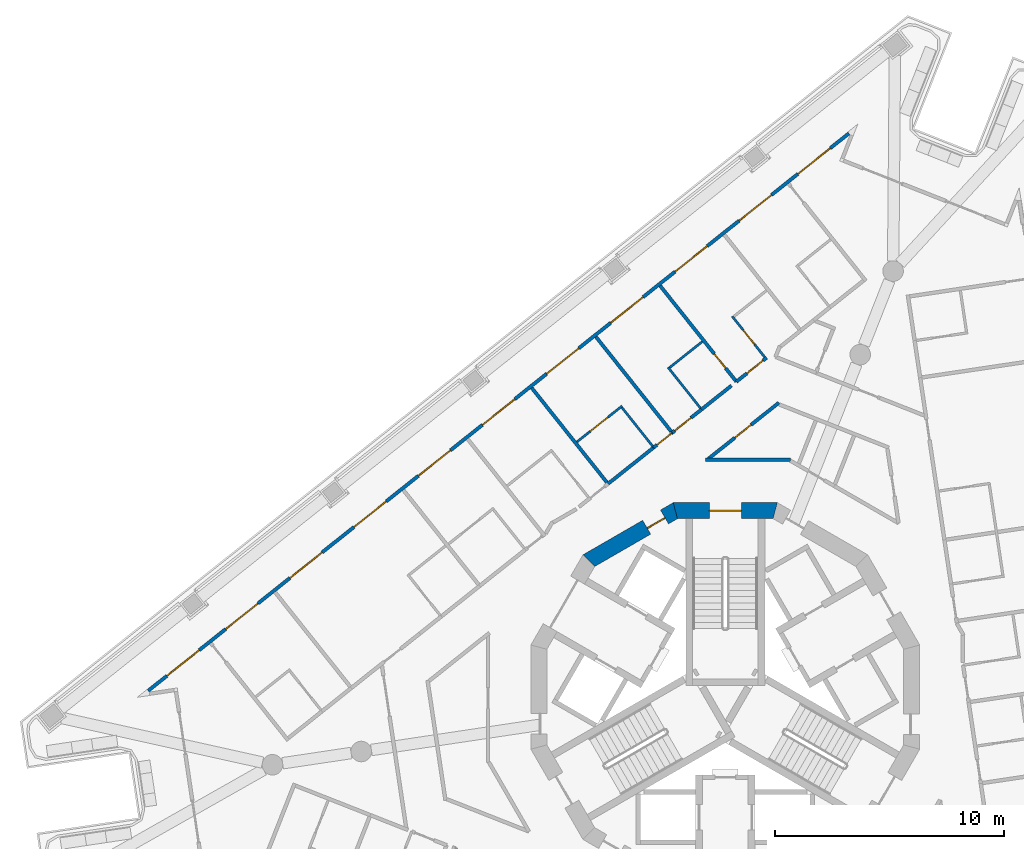
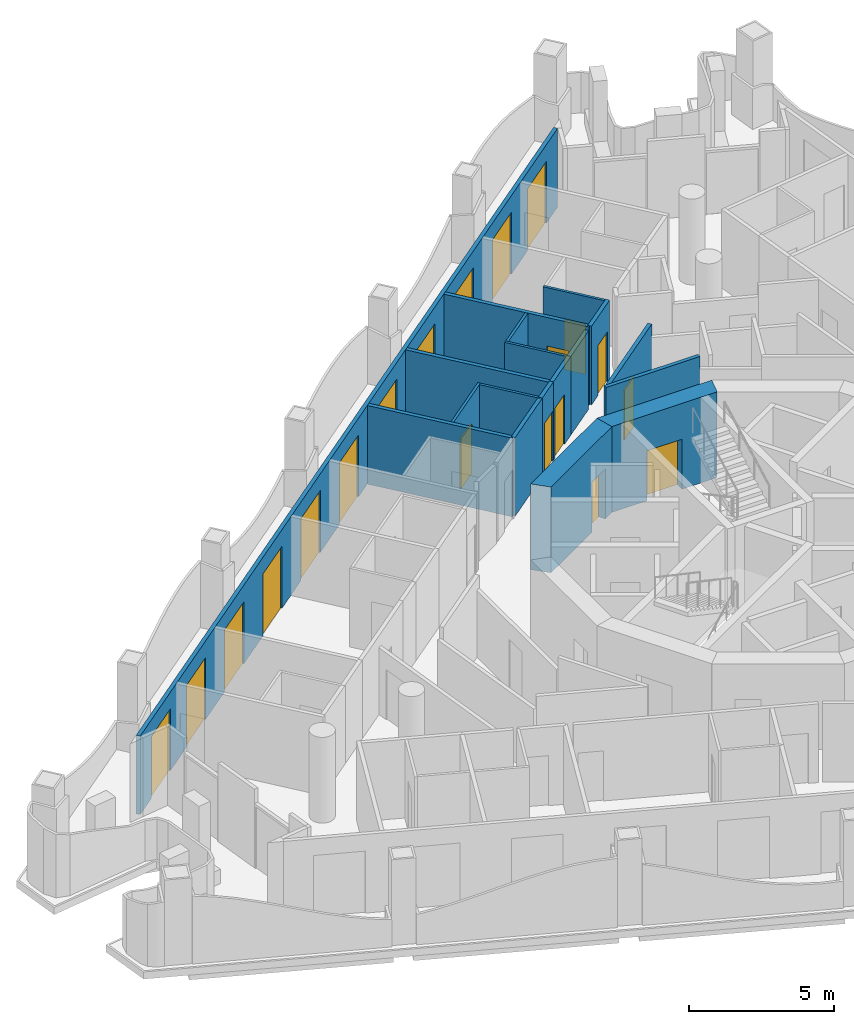
# One storey, part 8 of 17: 20 doors, 18 walls, 20 openings.
"""IFC4 building model written with IfcOpenShell, lengths in metres."""

from ifc_helpers import new_model, si_unit, direction, frame, frame_2d, origin, place, context, subcontext, project, spatial, polyline, rectangle, outline, extrude, material, layer, layer_set, type_object, element, fill, save


model = new_model("IFC4")

# Units and contexts
model_context = context("Model", 3, precision=1e-05, world=origin(), true_north=direction((0.0, 1.0)))
body_context = subcontext(model_context, "Body", "Model", "MODEL_VIEW")
ifc_project = project(units=[si_unit("LENGTHUNIT", "METRE"), si_unit("AREAUNIT", "SQUARE_METRE"), si_unit("VOLUMEUNIT", "CUBIC_METRE"), si_unit("PLANEANGLEUNIT", "RADIAN"), si_unit("MASSUNIT", "GRAM", prefix="KILO")], contexts=[model_context])

# Site, building, storey
site_placement = place(None, origin())
site = spatial("IfcSite", under=ifc_project, at=site_placement, CompositionType="ELEMENT")
building_placement = place(site_placement, origin())
building = spatial("IfcBuilding", under=site, at=building_placement, Name="Trine Commons Tower", CompositionType="ELEMENT")
storey_placement = place(building_placement, frame((0.0, 0.0, 216.0)))
storey = spatial("IfcBuildingStorey", under=building, at=storey_placement, Name="L56", CompositionType="ELEMENT", Elevation=216.0)

# Wall, openings, doors
ifc_material_1 = material(Name="Aluminium-framed insulated wall panel", Category="aluminium")
ifc_layer_1 = layer(ifc_material_1, 0.14990234375)
ifc_layer_set_1 = layer_set([ifc_layer_1], Name="Aluminium-framed insulated wall panel")
wall_type_1 = type_object("IfcWallType", Name="Glazed frame wall 150, EI 60", PredefinedType="SOLIDWALL", material=ifc_layer_set_1)
wall_1_placement = place(storey_placement, frame((54.650634765625, 62.685546875, 0.0), z_axis=(0.0, 0.0, 1.0), x_axis=(0.782609620341, 0.622512796776, 0.0)))
wall_1 = element("IfcWall", 1, at=wall_1_placement, inside=storey, type_object=wall_type_1, Name="Glazed frame wall F1", PredefinedType="SOLIDWALL", context=body_context, shape_type="SweptSolid", body=[
    extrude(outline(polyline([(0.1494140625, 0.074951171875), (0.1494140625, -0.074951171875), (39.296875, -0.074951171875), (39.296875, 0.074951171875), (0.1494140625, 0.074951171875)])), origin(), (0.0, 0.0, 1.0), 3.300048828125),
])
opening_1_placement = place(wall_1_placement, frame((1.193115234375, 0.0, 0.0)))
opening_1 = element("IfcOpeningElement", 2, at=opening_1_placement, cuts=wall_1, Name="Opening BD-6F1-01", PredefinedType="OPENING", context=body_context, shape_type="SweptSolid", body=[
    extrude(rectangle(XDim=1.800048828125, YDim=2.60009765625, at=frame_2d((0.89990234375, 1.300048828125))), frame((0.0, 0.0849609375, 0.0), z_axis=(0.0, -1.0, 0.0), x_axis=(1.0, 0.0, 0.0)), (0.0, 0.0, 1.0), 0.169921875),
])
opening_2_placement = place(wall_1_placement, frame((4.47900390625, 0.0, 0.0)))
opening_2 = element("IfcOpeningElement", 3, at=opening_2_placement, cuts=wall_1, Name="Opening BD-6F1-02", PredefinedType="OPENING", context=body_context, shape_type="SweptSolid", body=[
    extrude(rectangle(XDim=1.800048828125, YDim=2.60009765625, at=frame_2d((0.89990234375, 1.300048828125))), frame((0.0, 0.0849609375, 0.0), z_axis=(0.0, -1.0, 0.0), x_axis=(1.0, 0.0, 0.0)), (0.0, 0.0, 1.0), 0.169921875),
])
opening_3_placement = place(wall_1_placement, frame((8.06494140625, 0.0, 0.0)))
opening_3 = element("IfcOpeningElement", 4, at=opening_3_placement, cuts=wall_1, Name="Opening BD-6F1-03", PredefinedType="OPENING", context=body_context, shape_type="SweptSolid", body=[
    extrude(rectangle(XDim=1.800048828125, YDim=2.60009765625, at=frame_2d((0.89990234375, 1.300048828125))), frame((0.0, 0.0849609375, 0.0), z_axis=(0.0, -1.0, 0.0), x_axis=(1.0, 0.0, 0.0)), (0.0, 0.0, 1.0), 0.169921875),
])
opening_4_placement = place(wall_1_placement, frame((11.65087890625, 0.0, 0.0)))
opening_4 = element("IfcOpeningElement", 5, at=opening_4_placement, cuts=wall_1, Name="Opening BD-6F1-04", PredefinedType="OPENING", context=body_context, shape_type="SweptSolid", body=[
    extrude(rectangle(XDim=1.800048828125, YDim=2.60009765625, at=frame_2d((0.89990234375, 1.300048828125))), frame((0.0, 0.0849609375, 0.0), z_axis=(0.0, -1.0, 0.0), x_axis=(1.0, 0.0, 0.0)), (0.0, 0.0, 1.0), 0.169921875),
])
opening_5_placement = place(wall_1_placement, frame((15.237060546875, 0.0, 0.0)))
opening_5 = element("IfcOpeningElement", 6, at=opening_5_placement, cuts=wall_1, Name="Opening BD-6F1-05", PredefinedType="OPENING", context=body_context, shape_type="SweptSolid", body=[
    extrude(rectangle(XDim=1.800048828125, YDim=2.60009765625, at=frame_2d((0.89990234375, 1.300048828125))), frame((0.0, 0.0849609375, 0.0), z_axis=(0.0, -1.0, 0.0), x_axis=(1.0, 0.0, 0.0)), (0.0, 0.0, 1.0), 0.169921875),
])
opening_6_placement = place(wall_1_placement, frame((18.822998046875, 0.0, 0.0)))
opening_6 = element("IfcOpeningElement", 7, at=opening_6_placement, cuts=wall_1, Name="Opening BD-6F1-06", PredefinedType="OPENING", context=body_context, shape_type="SweptSolid", body=[
    extrude(rectangle(XDim=1.800048828125, YDim=2.60009765625, at=frame_2d((0.89990234375, 1.300048828125))), frame((0.0, 0.0849609375, 0.0), z_axis=(0.0, -1.0, 0.0), x_axis=(1.0, 0.0, 0.0)), (0.0, 0.0, 1.0), 0.169921875),
])
opening_7_placement = place(wall_1_placement, frame((22.408935546875, 0.0, 0.0)))
opening_7 = element("IfcOpeningElement", 8, at=opening_7_placement, cuts=wall_1, Name="Opening BD-6F1-07", PredefinedType="OPENING", context=body_context, shape_type="SweptSolid", body=[
    extrude(rectangle(XDim=1.800048828125, YDim=2.60009765625, at=frame_2d((0.89990234375, 1.300048828125))), frame((0.0, 0.0849609375, 0.0), z_axis=(0.0, -1.0, 0.0), x_axis=(1.0, 0.0, 0.0)), (0.0, 0.0, 1.0), 0.169921875),
])
opening_8_placement = place(wall_1_placement, frame((25.9951171875, 0.0, 0.0)))
opening_8 = element("IfcOpeningElement", 9, at=opening_8_placement, cuts=wall_1, Name="Opening BD-6F1-08", PredefinedType="OPENING", context=body_context, shape_type="SweptSolid", body=[
    extrude(rectangle(XDim=1.800048828125, YDim=2.60009765625, at=frame_2d((0.89990234375, 1.300048828125))), frame((0.0, 0.0849609375, 0.0), z_axis=(0.0, -1.0, 0.0), x_axis=(1.0, 0.0, 0.0)), (0.0, 0.0, 1.0), 0.169921875),
])
opening_9_placement = place(wall_1_placement, frame((29.5810546875, 0.0, 0.0)))
opening_9 = element("IfcOpeningElement", 10, at=opening_9_placement, cuts=wall_1, Name="Opening BD-6F1-09", PredefinedType="OPENING", context=body_context, shape_type="SweptSolid", body=[
    extrude(rectangle(XDim=1.800048828125, YDim=2.60009765625, at=frame_2d((0.89990234375, 1.300048828125))), frame((0.0, 0.0849609375, 0.0), z_axis=(0.0, -1.0, 0.0), x_axis=(1.0, 0.0, 0.0)), (0.0, 0.0, 1.0), 0.169921875),
])
opening_10_placement = place(wall_1_placement, frame((33.1669921875, 0.0, 0.0)))
opening_10 = element("IfcOpeningElement", 11, at=opening_10_placement, cuts=wall_1, Name="Opening BD-6F1-10", PredefinedType="OPENING", context=body_context, shape_type="SweptSolid", body=[
    extrude(rectangle(XDim=1.800048828125, YDim=2.60009765625, at=frame_2d((0.89990234375, 1.300048828125))), frame((0.0, 0.0849609375, 0.0), z_axis=(0.0, -1.0, 0.0), x_axis=(1.0, 0.0, 0.0)), (0.0, 0.0, 1.0), 0.169921875),
])
opening_11_placement = place(wall_1_placement, frame((36.452880859375, 0.0, 0.0)))
opening_11 = element("IfcOpeningElement", 12, at=opening_11_placement, cuts=wall_1, Name="Opening BD-6F1-11", PredefinedType="OPENING", context=body_context, shape_type="SweptSolid", body=[
    extrude(rectangle(XDim=1.800048828125, YDim=2.60009765625, at=frame_2d((0.89990234375, 1.300048828125))), frame((0.0, 0.0849609375, 0.0), z_axis=(0.0, -1.0, 0.0), x_axis=(1.0, 0.0, 0.0)), (0.0, 0.0, 1.0), 0.169921875),
])
ifc_material_2 = material(Name="Anodised aluminium frame with double glazing", Category="aluminium")
door_type_1 = type_object("IfcDoorType", Name="Sliding loggia door 1800x2600", OperationType="SLIDING_TO_LEFT", PredefinedType="DOOR", material=ifc_material_2)
door_1_placement = place(opening_1_placement, origin())
door_1 = element("IfcDoor", 13, at=door_1_placement, inside=storey, type_object=door_type_1, Name="Loggia door F1 1", OperationType="SLIDING_TO_LEFT", OverallHeight=2.60009765625, OverallWidth=1.800048828125, PredefinedType="DOOR", context=body_context, shape_type="SweptSolid", body=[
    extrude(rectangle(XDim=1.800048828125, YDim=2.60009765625, at=frame_2d((0.89990234375, 1.300048828125))), frame((0.0, 0.02490234375, 0.0), z_axis=(0.0, -1.0, 0.0), x_axis=(1.0, 0.0, 0.0)), (0.0, 0.0, 1.0), 0.050048828125),
])
fill(opening_1, door_1)
door_2_placement = place(opening_2_placement, origin())
door_2 = element("IfcDoor", 14, at=door_2_placement, inside=storey, type_object=door_type_1, Name="Loggia door F1 2", OperationType="SLIDING_TO_LEFT", OverallHeight=2.60009765625, OverallWidth=1.800048828125, PredefinedType="DOOR", context=body_context, shape_type="SweptSolid", body=[
    extrude(rectangle(XDim=1.800048828125, YDim=2.60009765625, at=frame_2d((0.89990234375, 1.300048828125))), frame((0.0, 0.02490234375, 0.0), z_axis=(0.0, -1.0, 0.0), x_axis=(1.0, 0.0, 0.0)), (0.0, 0.0, 1.0), 0.050048828125),
])
fill(opening_2, door_2)
door_3_placement = place(opening_3_placement, origin())
door_3 = element("IfcDoor", 15, at=door_3_placement, inside=storey, type_object=door_type_1, Name="Loggia door F1 3", OperationType="SLIDING_TO_LEFT", OverallHeight=2.60009765625, OverallWidth=1.800048828125, PredefinedType="DOOR", context=body_context, shape_type="SweptSolid", body=[
    extrude(rectangle(XDim=1.800048828125, YDim=2.60009765625, at=frame_2d((0.89990234375, 1.300048828125))), frame((0.0, 0.02490234375, 0.0), z_axis=(0.0, -1.0, 0.0), x_axis=(1.0, 0.0, 0.0)), (0.0, 0.0, 1.0), 0.050048828125),
])
fill(opening_3, door_3)
door_4_placement = place(opening_4_placement, origin())
door_4 = element("IfcDoor", 16, at=door_4_placement, inside=storey, type_object=door_type_1, Name="Loggia door F1 4", OperationType="SLIDING_TO_LEFT", OverallHeight=2.60009765625, OverallWidth=1.800048828125, PredefinedType="DOOR", context=body_context, shape_type="SweptSolid", body=[
    extrude(rectangle(XDim=1.800048828125, YDim=2.60009765625, at=frame_2d((0.89990234375, 1.300048828125))), frame((0.0, 0.02490234375, 0.0), z_axis=(0.0, -1.0, 0.0), x_axis=(1.0, 0.0, 0.0)), (0.0, 0.0, 1.0), 0.050048828125),
])
fill(opening_4, door_4)
door_5_placement = place(opening_5_placement, origin())
door_5 = element("IfcDoor", 17, at=door_5_placement, inside=storey, type_object=door_type_1, Name="Loggia door F1 5", OperationType="SLIDING_TO_LEFT", OverallHeight=2.60009765625, OverallWidth=1.800048828125, PredefinedType="DOOR", context=body_context, shape_type="SweptSolid", body=[
    extrude(rectangle(XDim=1.800048828125, YDim=2.60009765625, at=frame_2d((0.89990234375, 1.300048828125))), frame((0.0, 0.02490234375, 0.0), z_axis=(0.0, -1.0, 0.0), x_axis=(1.0, 0.0, 0.0)), (0.0, 0.0, 1.0), 0.050048828125),
])
fill(opening_5, door_5)
door_6_placement = place(opening_6_placement, origin())
door_6 = element("IfcDoor", 18, at=door_6_placement, inside=storey, type_object=door_type_1, Name="Loggia door F1 6", OperationType="SLIDING_TO_LEFT", OverallHeight=2.60009765625, OverallWidth=1.800048828125, PredefinedType="DOOR", context=body_context, shape_type="SweptSolid", body=[
    extrude(rectangle(XDim=1.800048828125, YDim=2.60009765625, at=frame_2d((0.89990234375, 1.300048828125))), frame((0.0, 0.02490234375, 0.0), z_axis=(0.0, -1.0, 0.0), x_axis=(1.0, 0.0, 0.0)), (0.0, 0.0, 1.0), 0.050048828125),
])
fill(opening_6, door_6)
door_7_placement = place(opening_7_placement, origin())
door_7 = element("IfcDoor", 19, at=door_7_placement, inside=storey, type_object=door_type_1, Name="Loggia door F1 7", OperationType="SLIDING_TO_LEFT", OverallHeight=2.60009765625, OverallWidth=1.800048828125, PredefinedType="DOOR", context=body_context, shape_type="SweptSolid", body=[
    extrude(rectangle(XDim=1.800048828125, YDim=2.60009765625, at=frame_2d((0.89990234375, 1.300048828125))), frame((0.0, 0.02490234375, 0.0), z_axis=(0.0, -1.0, 0.0), x_axis=(1.0, 0.0, 0.0)), (0.0, 0.0, 1.0), 0.050048828125),
])
fill(opening_7, door_7)
door_8_placement = place(opening_8_placement, origin())
door_8 = element("IfcDoor", 20, at=door_8_placement, inside=storey, type_object=door_type_1, Name="Loggia door F1 8", OperationType="SLIDING_TO_LEFT", OverallHeight=2.60009765625, OverallWidth=1.800048828125, PredefinedType="DOOR", context=body_context, shape_type="SweptSolid", body=[
    extrude(rectangle(XDim=1.800048828125, YDim=2.60009765625, at=frame_2d((0.89990234375, 1.300048828125))), frame((0.0, 0.02490234375, 0.0), z_axis=(0.0, -1.0, 0.0), x_axis=(1.0, 0.0, 0.0)), (0.0, 0.0, 1.0), 0.050048828125),
])
fill(opening_8, door_8)
door_9_placement = place(opening_9_placement, origin())
door_9 = element("IfcDoor", 21, at=door_9_placement, inside=storey, type_object=door_type_1, Name="Loggia door F1 9", OperationType="SLIDING_TO_LEFT", OverallHeight=2.60009765625, OverallWidth=1.800048828125, PredefinedType="DOOR", context=body_context, shape_type="SweptSolid", body=[
    extrude(rectangle(XDim=1.800048828125, YDim=2.60009765625, at=frame_2d((0.89990234375, 1.300048828125))), frame((0.0, 0.02490234375, 0.0), z_axis=(0.0, -1.0, 0.0), x_axis=(1.0, 0.0, 0.0)), (0.0, 0.0, 1.0), 0.050048828125),
])
fill(opening_9, door_9)
door_10_placement = place(opening_10_placement, origin())
door_10 = element("IfcDoor", 22, at=door_10_placement, inside=storey, type_object=door_type_1, Name="Loggia door F1 10", OperationType="SLIDING_TO_LEFT", OverallHeight=2.60009765625, OverallWidth=1.800048828125, PredefinedType="DOOR", context=body_context, shape_type="SweptSolid", body=[
    extrude(rectangle(XDim=1.800048828125, YDim=2.60009765625, at=frame_2d((0.89990234375, 1.300048828125))), frame((0.0, 0.02490234375, 0.0), z_axis=(0.0, -1.0, 0.0), x_axis=(1.0, 0.0, 0.0)), (0.0, 0.0, 1.0), 0.050048828125),
])
fill(opening_10, door_10)
door_11_placement = place(opening_11_placement, origin())
door_11 = element("IfcDoor", 23, at=door_11_placement, inside=storey, type_object=door_type_1, Name="Loggia door F1 11", OperationType="SLIDING_TO_LEFT", OverallHeight=2.60009765625, OverallWidth=1.800048828125, PredefinedType="DOOR", context=body_context, shape_type="SweptSolid", body=[
    extrude(rectangle(XDim=1.800048828125, YDim=2.60009765625, at=frame_2d((0.89990234375, 1.300048828125))), frame((0.0, 0.02490234375, 0.0), z_axis=(0.0, -1.0, 0.0), x_axis=(1.0, 0.0, 0.0)), (0.0, 0.0, 1.0), 0.050048828125),
])
fill(opening_11, door_11)

# Wall, opening, door
ifc_material_3 = material(Name="Concrete C60/75", Category="concrete")
ifc_layer_2 = layer(ifc_material_3, 0.699951171875)
ifc_layer_set_2 = layer_set([ifc_layer_2], Name="Concrete C60/75")
wall_type_2 = type_object("IfcWallType", Name="RC shear wall 700 mm, C60/75", PredefinedType="SHEAR", material=ifc_layer_set_2)
wall_2_placement = place(storey_placement, frame((82.277587890625, 70.650146484375, 0.0), z_axis=(0.0, 0.0, 1.0), x_axis=(-1.0, 0.0, 0.0)))
wall_2 = element("IfcWall", 24, at=wall_2_placement, inside=storey, type_object=wall_type_2, Name="Core wall CWF-04 L56", PredefinedType="SHEAR", context=body_context, shape_type="SweptSolid", body=[
    extrude(outline(polyline([(0.0, -0.35009765625), (4.55517578125, -0.35009765625), (4.36767578125, 0.35009765625), (0.1875, 0.35009765625), (0.0, -0.35009765625)])), origin(), (0.0, 0.0, 1.0), 3.60009765625),
])
opening_12_placement = place(wall_2_placement, frame((1.57763671875, 0.0, 0.0)))
opening_12 = element("IfcOpeningElement", 25, at=opening_12_placement, cuts=wall_2, Name="Opening K16.01", PredefinedType="OPENING", context=body_context, shape_type="SweptSolid", body=[
    extrude(rectangle(XDim=1.39990234375, YDim=2.10009765625, at=frame_2d((0.699951171875, 1.050048828125))), frame((0.0, 0.35986328125, 0.0), z_axis=(0.0, -1.0, 0.0), x_axis=(1.0, 0.0, 0.0)), (0.0, 0.0, 1.0), 0.719970703125),
])
ifc_material_4 = material(Name="Steel door leaves, fire-rated", Category="steel")
door_type_2 = type_object("IfcDoorType", Name="Stair door, double leaf 1400 x 2100, FD90", OperationType="DOUBLE_DOOR_SINGLE_SWING", PredefinedType="DOOR", material=ifc_material_4)
door_12_placement = place(opening_12_placement, origin())
door_12 = element("IfcDoor", 26, at=door_12_placement, inside=storey, type_object=door_type_2, Name="Stair door to Exit stair ST1C L56", OperationType="DOUBLE_DOOR_SINGLE_SWING", OverallHeight=2.10009765625, OverallWidth=1.39990234375, PredefinedType="DOOR", context=body_context, shape_type="SweptSolid", body=[
    extrude(rectangle(XDim=1.39990234375, YDim=2.10009765625, at=frame_2d((0.699951171875, 1.050048828125))), frame((0.0, 0.02490234375, 0.0), z_axis=(0.0, -1.0, 0.0), x_axis=(1.0, 0.0, 0.0)), (0.0, 0.0, 1.0), 0.050048828125),
])
fill(opening_12, door_12)

wall_3_placement = place(storey_placement, frame((77.8974609375, 70.697021484375, 0.0), z_axis=(0.0, 0.0, 1.0), x_axis=(-0.866034756103, -0.499983800959, 0.0)))
wall_3 = element("IfcWall", 27, at=wall_3_placement, inside=storey, type_object=wall_type_2, Name="Core wall CWF-05 L56", PredefinedType="SHEAR", context=body_context, shape_type="SweptSolid", body=[
    extrude(outline(polyline([(0.0, -0.35009765625), (4.55517578125, -0.35009765625), (4.36767578125, 0.35009765625), (0.1875, 0.35009765625), (0.0, -0.35009765625)])), origin(), (0.0, 0.0, 1.0), 3.60009765625),
])
opening_13_placement = place(wall_3_placement, frame((0.641845703125, 0.0, 0.0)))
opening_13 = element("IfcOpeningElement", 28, at=opening_13_placement, cuts=wall_3, Name="Opening K16.13", PredefinedType="OPENING", context=body_context, shape_type="SweptSolid", body=[
    extrude(rectangle(XDim=0.89990234375, YDim=2.10009765625, at=frame_2d((0.449951171875, 1.050048828125))), frame((0.0, 0.35986328125, 0.0), z_axis=(0.0, -1.0, 0.0), x_axis=(1.0, 0.0, 0.0)), (0.0, 0.0, 1.0), 0.719970703125),
])
ifc_material_5 = material(Name="Steel door leaf, fire-rated", Category="steel")
door_type_3 = type_object("IfcDoorType", Name="Core room door, single leaf 900 x 2100, FD30S", OperationType="SINGLE_SWING_LEFT", PredefinedType="DOOR", material=ifc_material_5)
door_13_placement = place(opening_13_placement, origin())
door_13 = element("IfcDoor", 29, at=door_13_placement, inside=storey, type_object=door_type_3, Name="Door to Accessible WC L56", OperationType="SINGLE_SWING_LEFT", OverallHeight=2.10009765625, OverallWidth=0.89990234375, PredefinedType="DOOR", context=body_context, shape_type="SweptSolid", body=[
    extrude(rectangle(XDim=0.89990234375, YDim=2.10009765625, at=frame_2d((0.449951171875, 1.050048828125))), frame((0.0, 0.0751953125, 0.0), z_axis=(0.0, -1.0, 0.0), x_axis=(1.0, 0.0, 0.0)), (0.0, 0.0, 1.0), 0.050048828125),
])
fill(opening_13, door_13)

# Walls
ifc_material_6 = material(Name="Gypsum plasterboard on steel stud", Category="steel")
ifc_layer_3 = layer(ifc_material_6, 0.14990234375)
ifc_layer_set_3 = layer_set([ifc_layer_3], Name="Gypsum plasterboard on steel stud")
wall_type_3 = type_object("IfcWallType", Name="Unit and corridor wall 150 mm, EI 60", PredefinedType="PARTITIONING", material=ifc_layer_set_3)
wall_4_placement = place(storey_placement, frame((71.535888671875, 76.020751953125, 0.0), z_axis=(0.0, 0.0, 1.0), x_axis=(0.622565407695, -0.782567769041, 0.0)))
element("IfcWall", 30, at=wall_4_placement, inside=storey, type_object=wall_type_3, Name="Partition 037", PredefinedType="PARTITIONING", context=body_context, shape_type="SweptSolid", body=[
    extrude(rectangle(XDim=5.3603515625, YDim=0.14990234375, at=frame_2d((2.68017578125, 0.0))), origin(), (0.0, 0.0, 1.0), 3.300048828125),
])
wall_5_placement = place(storey_placement, frame((74.343017578125, 78.252685546875, 0.0), z_axis=(0.0, 0.0, 1.0), x_axis=(0.622444463897, -0.782663969634, 0.0)))
element("IfcWall", 31, at=wall_5_placement, inside=storey, type_object=wall_type_3, Name="Partition 047", PredefinedType="PARTITIONING", context=body_context, shape_type="SweptSolid", body=[
    extrude(rectangle(XDim=5.284423828125, YDim=0.14990234375, at=frame_2d((2.64208984375, 0.0))), origin(), (0.0, 0.0, 1.0), 3.300048828125),
])
wall_6_placement = place(storey_placement, frame((74.8701171875, 71.823974609375, 0.0), z_axis=(0.0, 0.0, 1.0), x_axis=(0.782719471112, 0.622374669746, 0.0)))
element("IfcWall", 32, at=wall_6_placement, inside=storey, type_object=wall_type_3, Name="Partition 048", PredefinedType="PARTITIONING", context=body_context, shape_type="SweptSolid", body=[
    extrude(rectangle(XDim=2.556396484375, YDim=0.14990234375, at=frame_2d((1.2783203125, 0.0))), origin(), (0.0, 0.0, 1.0), 3.300048828125),
])

# Wall, opening, door
wall_7_placement = place(storey_placement, frame((76.864990234375, 73.410888671875, 0.0), z_axis=(0.0, 0.0, 1.0), x_axis=(0.782896309119, 0.622152207396, 0.0)))
wall_7 = element("IfcWall", 33, at=wall_7_placement, inside=storey, type_object=wall_type_3, Name="Partition 052", PredefinedType="PARTITIONING", context=body_context, shape_type="SweptSolid", body=[
    extrude(rectangle(XDim=1.04345703125, YDim=0.14990234375, at=frame_2d((0.521728515625, 0.0))), origin(), (0.0, 0.0, 1.0), 3.300048828125),
])
opening_14_placement = place(wall_7_placement, frame((0.189697265625, 0.0, 0.0)))
opening_14 = element("IfcOpeningElement", 34, at=opening_14_placement, cuts=wall_7, Name="Opening D-6B09", PredefinedType="OPENING", context=body_context, shape_type="SweptSolid", body=[
    extrude(rectangle(XDim=0.800048828125, YDim=2.10009765625, at=frame_2d((0.39990234375, 1.050048828125))), frame((0.0, 0.0849609375, 0.0), z_axis=(0.0, -1.0, 0.0), x_axis=(1.0, 0.0, 0.0)), (0.0, 0.0, 1.0), 0.169921875),
])
ifc_material_7 = material(Name="Timber fire door set", Category="wood")
door_type_4 = type_object("IfcDoorType", Name="Bedroom door 800 x 2100, FD30S", OperationType="NOTDEFINED", PredefinedType="DOOR", material=ifc_material_7)
door_14_placement = place(opening_14_placement, origin())
door_14 = element("IfcDoor", 35, at=door_14_placement, inside=storey, type_object=door_type_4, Name="Door D-6B09", OperationType="SINGLE_SWING_RIGHT", OverallHeight=2.10009765625, OverallWidth=0.800048828125, PredefinedType="DOOR", context=body_context, shape_type="SweptSolid", body=[
    extrude(rectangle(XDim=0.800048828125, YDim=2.10009765625, at=frame_2d((0.39990234375, 1.050048828125))), frame((0.0, 0.02490234375, 0.0), z_axis=(0.0, -1.0, 0.0), x_axis=(1.0, 0.0, 0.0)), (0.0, 0.0, 1.0), 0.050048828125),
])
fill(opening_14, door_14)

wall_8_placement = place(storey_placement, frame((77.14892578125, 80.485595703125, 0.0), z_axis=(0.0, 0.0, 1.0), x_axis=(0.622587598128, -0.782550115109, 0.0)))
wall_8 = element("IfcWall", 36, at=wall_8_placement, inside=storey, type_object=wall_type_3, Name="Partition 055", PredefinedType="PARTITIONING", context=body_context, shape_type="SweptSolid", body=[
    extrude(rectangle(XDim=5.360107421875, YDim=0.14990234375, at=frame_2d((2.68017578125, 0.0))), origin(), (0.0, 0.0, 1.0), 3.300048828125),
])
opening_15_placement = place(wall_8_placement, frame((3.81005859375, 0.0, 0.0)))
opening_15 = element("IfcOpeningElement", 37, at=opening_15_placement, cuts=wall_8, Name="Opening D-6B40", PredefinedType="OPENING", context=body_context, shape_type="SweptSolid", body=[
    extrude(rectangle(XDim=0.800048828125, YDim=2.10009765625, at=frame_2d((0.39990234375, 1.050048828125))), frame((0.0, 0.0849609375, 0.0), z_axis=(0.0, -1.0, 0.0), x_axis=(1.0, 0.0, 0.0)), (0.0, 0.0, 1.0), 0.169921875),
])
ifc_material_8 = material(Name="Painted timber", Category="wood")
door_type_5 = type_object("IfcDoorType", Name="Internal door 800 x 2100, NOT RATED", OperationType="NOTDEFINED", PredefinedType="DOOR", material=ifc_material_8)
door_15_placement = place(opening_15_placement, origin())
door_15 = element("IfcDoor", 38, at=door_15_placement, inside=storey, type_object=door_type_5, Name="Door D-6B40", OperationType="SINGLE_SWING_RIGHT", OverallHeight=2.10009765625, OverallWidth=0.800048828125, PredefinedType="DOOR", context=body_context, shape_type="SweptSolid", body=[
    extrude(rectangle(XDim=0.800048828125, YDim=2.10009765625, at=frame_2d((0.39990234375, 1.050048828125))), frame((0.0, 0.02490234375, 0.0), z_axis=(0.0, -1.0, 0.0), x_axis=(1.0, 0.0, 0.0)), (0.0, 0.0, 1.0), 0.050048828125),
])
fill(opening_15, door_15)

wall_9_placement = place(storey_placement, frame((77.676025390625, 74.055908203125, 0.0), z_axis=(0.0, 0.0, 1.0), x_axis=(0.782734219596, 0.622356121102, 0.0)))
wall_9 = element("IfcWall", 39, at=wall_9_placement, inside=storey, type_object=wall_type_3, Name="Partition 059", PredefinedType="PARTITIONING", context=body_context, shape_type="SweptSolid", body=[
    extrude(rectangle(XDim=1.64404296875, YDim=0.14990234375, at=frame_2d((0.822021484375, 0.0))), origin(), (0.0, 0.0, 1.0), 3.300048828125),
])
opening_16_placement = place(wall_9_placement, frame((0.153564453125, 0.0, 0.0)))
opening_16 = element("IfcOpeningElement", 40, at=opening_16_placement, cuts=wall_9, Name="Opening D-6B10", PredefinedType="OPENING", context=body_context, shape_type="SweptSolid", body=[
    extrude(rectangle(XDim=0.89990234375, YDim=2.10009765625, at=frame_2d((0.449951171875, 1.050048828125))), frame((0.0, 0.0849609375, 0.0), z_axis=(0.0, -1.0, 0.0), x_axis=(1.0, 0.0, 0.0)), (0.0, 0.0, 1.0), 0.169921875),
])
door_type_6 = type_object("IfcDoorType", Name="Bedroom door 900 x 2100, FD30S", OperationType="NOTDEFINED", PredefinedType="DOOR", material=ifc_material_7)
door_16_placement = place(opening_16_placement, origin())
door_16 = element("IfcDoor", 41, at=door_16_placement, inside=storey, type_object=door_type_6, Name="Door D-6B10", OperationType="SINGLE_SWING_LEFT", OverallHeight=2.10009765625, OverallWidth=0.89990234375, PredefinedType="DOOR", context=body_context, shape_type="SweptSolid", body=[
    extrude(rectangle(XDim=0.89990234375, YDim=2.10009765625, at=frame_2d((0.449951171875, 1.050048828125))), frame((0.0, 0.02490234375, 0.0), z_axis=(0.0, -1.0, 0.0), x_axis=(1.0, 0.0, 0.0)), (0.0, 0.0, 1.0), 0.050048828125),
])
fill(opening_16, door_16)

# Walls
wall_10_placement = place(storey_placement, frame((78.95703125, 75.074951171875, 0.0), z_axis=(0.0, 0.0, 1.0), x_axis=(0.782797783459, 0.622276168764, 0.0)))
element("IfcWall", 42, at=wall_10_placement, inside=storey, type_object=wall_type_3, Name="Partition 062", PredefinedType="PARTITIONING", context=body_context, shape_type="SweptSolid", body=[
    extrude(rectangle(XDim=1.676025390625, YDim=0.14990234375, at=frame_2d((0.837890625, 0.0))), origin(), (0.0, 0.0, 1.0), 3.300048828125),
])
wall_11_placement = place(storey_placement, frame((79.125, 72.875, 0.0), z_axis=(0.0, 0.0, 1.0), x_axis=(1.0, 0.0, 0.0)))
element("IfcWall", 43, at=wall_11_placement, inside=storey, type_object=wall_type_3, Name="Partition 064", PredefinedType="PARTITIONING", context=body_context, shape_type="SweptSolid", body=[
    extrude(rectangle(XDim=3.72998046875, YDim=0.14990234375, at=frame_2d((1.864990234375, 0.0))), origin(), (0.0, 0.0, 1.0), 3.300048828125),
])

# Wall, opening, door
wall_12_placement = place(storey_placement, frame((79.2626953125, 72.921630859375, 0.0), z_axis=(0.0, 0.0, 1.0), x_axis=(0.782518607784, 0.622627198629, 0.0)))
wall_12 = element("IfcWall", 44, at=wall_12_placement, inside=storey, type_object=wall_type_3, Name="Partition 065", PredefinedType="PARTITIONING", context=body_context, shape_type="SweptSolid", body=[
    extrude(rectangle(XDim=3.934814453125, YDim=0.14990234375, at=frame_2d((1.96728515625, 0.0))), origin(), (0.0, 0.0, 1.0), 3.300048828125),
])
opening_17_placement = place(wall_12_placement, frame((1.479736328125, 0.0, 0.0)))
opening_17 = element("IfcOpeningElement", 45, at=opening_17_placement, cuts=wall_12, Name="Opening D-6B30", PredefinedType="OPENING", context=body_context, shape_type="SweptSolid", body=[
    extrude(rectangle(XDim=0.89990234375, YDim=2.10009765625, at=frame_2d((0.449951171875, 1.050048828125))), frame((0.0, 0.0849609375, 0.0), z_axis=(0.0, -1.0, 0.0), x_axis=(1.0, 0.0, 0.0)), (0.0, 0.0, 1.0), 0.169921875),
])
door_type_7 = type_object("IfcDoorType", Name="Service door 900 x 2100, FD30S", OperationType="NOTDEFINED", PredefinedType="DOOR", material=ifc_material_7)
door_17_placement = place(opening_17_placement, frame((0.89990234375, 0.0, 0.0), z_axis=(0.0, 0.0, 1.0), x_axis=(-1.0, 0.0, 0.0)))
door_17 = element("IfcDoor", 46, at=door_17_placement, inside=storey, type_object=door_type_7, Name="Door D-6B30", OperationType="SINGLE_SWING_RIGHT", OverallHeight=2.10009765625, OverallWidth=0.89990234375, PredefinedType="DOOR", context=body_context, shape_type="SweptSolid", body=[
    extrude(rectangle(XDim=0.89990234375, YDim=2.10009765625, at=frame_2d((0.449951171875, 1.050048828125))), frame((0.0, 0.02490234375, 0.0), z_axis=(0.0, -1.0, 0.0), x_axis=(1.0, 0.0, 0.0)), (0.0, 0.0, 1.0), 0.050048828125),
])
fill(opening_17, door_17)

wall_13_placement = place(storey_placement, frame((80.48291015625, 76.2890625, 0.0), z_axis=(0.0, 0.0, 1.0), x_axis=(0.782933136701, 0.622105861936, 0.0)))
wall_13 = element("IfcWall", 47, at=wall_13_placement, inside=storey, type_object=wall_type_3, Name="Partition 070", PredefinedType="PARTITIONING", context=body_context, shape_type="SweptSolid", body=[
    extrude(rectangle(XDim=1.692626953125, YDim=0.14990234375, at=frame_2d((0.84619140625, 0.0))), origin(), (0.0, 0.0, 1.0), 3.300048828125),
])
opening_18_placement = place(wall_13_placement, frame((0.589111328125, 0.0, 0.0)))
opening_18 = element("IfcOpeningElement", 48, at=opening_18_placement, cuts=wall_13, Name="Opening D-6B11", PredefinedType="OPENING", context=body_context, shape_type="SweptSolid", body=[
    extrude(rectangle(XDim=0.89990234375, YDim=2.10009765625, at=frame_2d((0.449951171875, 1.050048828125))), frame((0.0, 0.0849609375, 0.0), z_axis=(0.0, -1.0, 0.0), x_axis=(1.0, 0.0, 0.0)), (0.0, 0.0, 1.0), 0.169921875),
])
door_18_placement = place(opening_18_placement, origin())
door_18 = element("IfcDoor", 49, at=door_18_placement, inside=storey, type_object=door_type_6, Name="Door D-6B11", OperationType="SINGLE_SWING_RIGHT", OverallHeight=2.10009765625, OverallWidth=0.89990234375, PredefinedType="DOOR", context=body_context, shape_type="SweptSolid", body=[
    extrude(rectangle(XDim=0.89990234375, YDim=2.10009765625, at=frame_2d((0.449951171875, 1.050048828125))), frame((0.0, 0.02490234375, 0.0), z_axis=(0.0, -1.0, 0.0), x_axis=(1.0, 0.0, 0.0)), (0.0, 0.0, 1.0), 0.050048828125),
])
fill(opening_18, door_18)

ifc_layer_4 = layer(ifc_material_6, 0.10009765625)
ifc_layer_set_4 = layer_set([ifc_layer_4], Name="Gypsum plasterboard on steel stud")
wall_type_4 = type_object("IfcWallType", Name="Unit partition 100 mm, no rating", PredefinedType="PARTITIONING", material=ifc_layer_set_4)
wall_14_placement = place(storey_placement, frame((73.51171875, 73.65673828125, 0.0), z_axis=(0.0, 0.0, 1.0), x_axis=(0.782563588738, 0.622570662319, 0.0)))
wall_14 = element("IfcWall", 50, at=wall_14_placement, inside=storey, type_object=wall_type_4, Name="Partition 044", PredefinedType="PARTITIONING", context=body_context, shape_type="SweptSolid", body=[
    extrude(rectangle(XDim=2.525390625, YDim=0.10009765625, at=frame_2d((1.2626953125, 0.0))), origin(), (0.0, 0.0, 1.0), 3.300048828125),
])
opening_19_placement = place(wall_14_placement, frame((0.73779296875, 0.0, 0.0)))
opening_19 = element("IfcOpeningElement", 51, at=opening_19_placement, cuts=wall_14, Name="Opening D-6B39", PredefinedType="OPENING", context=body_context, shape_type="SweptSolid", body=[
    extrude(rectangle(XDim=1.0, YDim=2.10009765625, at=frame_2d((0.5, 1.050048828125))), frame((0.0, 0.06005859375, 0.0), z_axis=(0.0, -1.0, 0.0), x_axis=(1.0, 0.0, 0.0)), (0.0, 0.0, 1.0), 0.1201171875),
])
door_type_8 = type_object("IfcDoorType", Name="Internal door 1000 x 2100, NOT RATED", OperationType="NOTDEFINED", PredefinedType="DOOR", material=ifc_material_8)
door_19_placement = place(opening_19_placement, origin())
door_19 = element("IfcDoor", 52, at=door_19_placement, inside=storey, type_object=door_type_8, Name="Door D-6B39", OperationType="SINGLE_SWING_LEFT", OverallHeight=2.10009765625, OverallWidth=1.0, PredefinedType="DOOR", context=body_context, shape_type="SweptSolid", body=[
    extrude(rectangle(XDim=1.0, YDim=2.10009765625, at=frame_2d((0.5, 1.050048828125))), frame((0.0, 0.02490234375, 0.0), z_axis=(0.0, -1.0, 0.0), x_axis=(1.0, 0.0, 0.0)), (0.0, 0.0, 1.0), 0.050048828125),
])
fill(opening_19, door_19)

# Walls
wall_15_placement = place(storey_placement, frame((75.47998046875, 75.158935546875, 0.0), z_axis=(0.0, 0.0, 1.0), x_axis=(0.622302604584, -0.782776767877, 0.0)))
element("IfcWall", 53, at=wall_15_placement, inside=storey, type_object=wall_type_4, Name="Partition 049", PredefinedType="PARTITIONING", context=body_context, shape_type="SweptSolid", body=[
    extrude(rectangle(XDim=2.230224609375, YDim=0.10009765625, at=frame_2d((1.115234375, 0.0))), origin(), (0.0, 0.0, 1.0), 3.300048828125),
])
wall_16_placement = place(storey_placement, frame((77.496826171875, 76.916015625, 0.0), z_axis=(0.0, 0.0, 1.0), x_axis=(0.622625135388, -0.78252024944, 0.0)))
element("IfcWall", 54, at=wall_16_placement, inside=storey, type_object=wall_type_4, Name="Partition 057", PredefinedType="PARTITIONING", context=body_context, shape_type="SweptSolid", body=[
    extrude(rectangle(XDim=2.275146484375, YDim=0.10009765625, at=frame_2d((1.1376953125, 0.0))), origin(), (0.0, 0.0, 1.0), 3.300048828125),
])
wall_17_placement = place(storey_placement, frame((77.567138671875, 76.908203125, 0.0), z_axis=(0.0, 0.0, 1.0), x_axis=(0.782627716851, 0.622490045557, 0.0)))
element("IfcWall", 55, at=wall_17_placement, inside=storey, type_object=wall_type_4, Name="Partition 058", PredefinedType="PARTITIONING", context=body_context, shape_type="SweptSolid", body=[
    extrude(rectangle(XDim=1.824951171875, YDim=0.10009765625, at=frame_2d((0.91259765625, 0.0))), origin(), (0.0, 0.0, 1.0), 3.300048828125),
])

# Wall, opening, door
wall_18_placement = place(storey_placement, frame((80.302978515625, 79.148193359375, 0.0), z_axis=(0.0, 0.0, 1.0), x_axis=(0.622507134747, -0.782614124067, 0.0)))
wall_18 = element("IfcWall", 56, at=wall_18_placement, inside=storey, type_object=wall_type_4, Name="Partition 068", PredefinedType="PARTITIONING", context=body_context, shape_type="SweptSolid", body=[
    extrude(rectangle(XDim=2.275146484375, YDim=0.10009765625, at=frame_2d((1.1376953125, 0.0))), origin(), (0.0, 0.0, 1.0), 3.300048828125),
])
opening_20_placement = place(wall_18_placement, frame((0.7626953125, 0.0, 0.0)))
opening_20 = element("IfcOpeningElement", 57, at=opening_20_placement, cuts=wall_18, Name="Opening D-6B41", PredefinedType="OPENING", context=body_context, shape_type="SweptSolid", body=[
    extrude(rectangle(XDim=0.800048828125, YDim=2.10009765625, at=frame_2d((0.39990234375, 1.050048828125))), frame((0.0, 0.06005859375, 0.0), z_axis=(0.0, -1.0, 0.0), x_axis=(1.0, 0.0, 0.0)), (0.0, 0.0, 1.0), 0.1201171875),
])
door_20_placement = place(opening_20_placement, frame((0.800048828125, 0.0, 0.0), z_axis=(0.0, 0.0, 1.0), x_axis=(-1.0, 0.0, 0.0)))
door_20 = element("IfcDoor", 58, at=door_20_placement, inside=storey, type_object=door_type_5, Name="Door D-6B41", OperationType="SINGLE_SWING_LEFT", OverallHeight=2.10009765625, OverallWidth=0.800048828125, PredefinedType="DOOR", context=body_context, shape_type="SweptSolid", body=[
    extrude(rectangle(XDim=0.800048828125, YDim=2.10009765625, at=frame_2d((0.39990234375, 1.050048828125))), frame((0.0, 0.02490234375, 0.0), z_axis=(0.0, -1.0, 0.0), x_axis=(1.0, 0.0, 0.0)), (0.0, 0.0, 1.0), 0.050048828125),
])
fill(opening_20, door_20)

save(model, "model.ifc")
